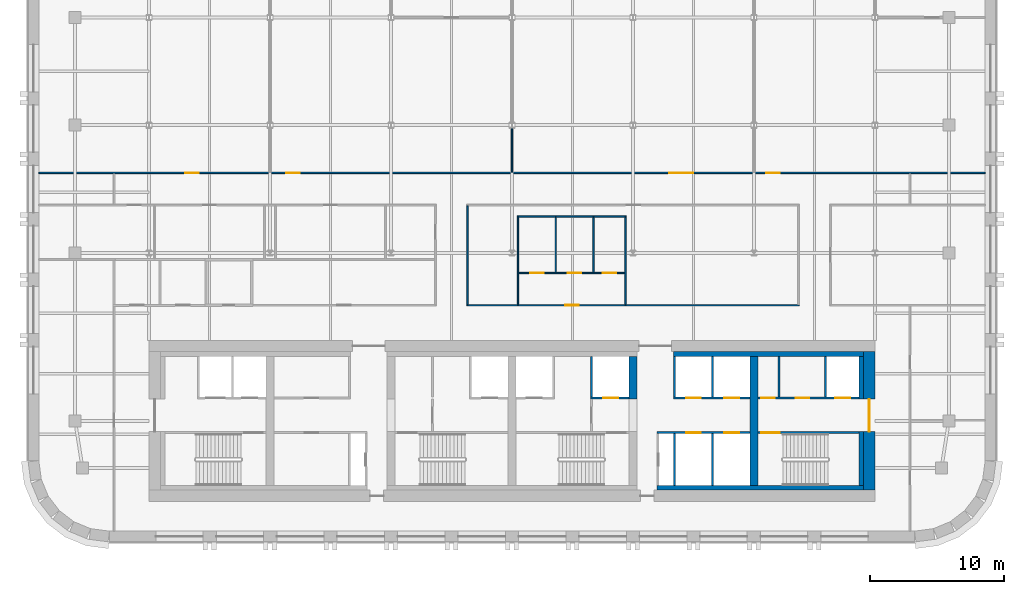
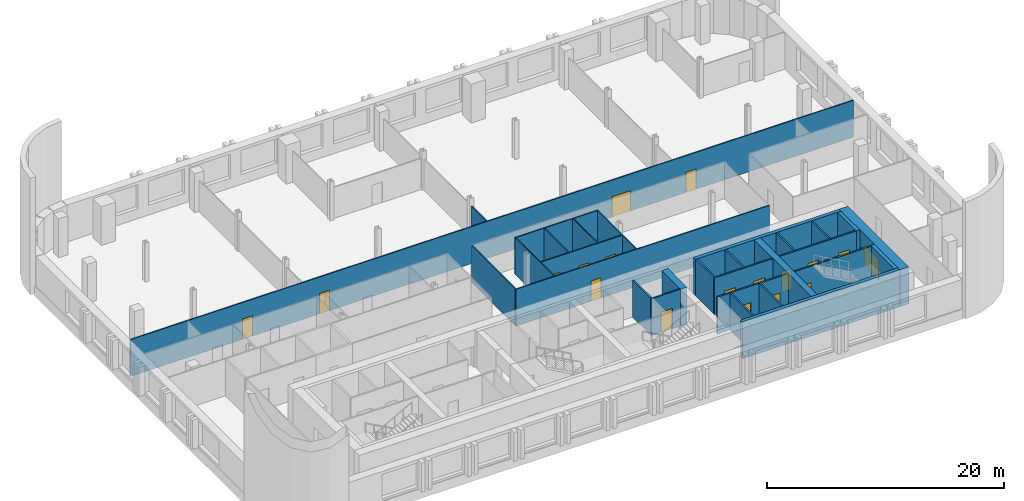
# One storey, part 5 of 9: 29 walls, 18 doors, 18 openings.
"""IFC4 building model written with IfcOpenShell, lengths in metres."""

from ifc_helpers import new_model, si_unit, direction, frame, frame_2d, origin, place, context, subcontext, project, spatial, rectangle, extrude, material, layer, layer_set, type_object, element, fill, save


model = new_model("IFC4")

# Units and contexts
model_context = context("Model", 3, precision=1e-05, world=origin(), true_north=direction((0.0, 1.0)))
body_context = subcontext(model_context, "Body", "Model", "MODEL_VIEW")
ifc_project = project(units=[si_unit("LENGTHUNIT", "METRE"), si_unit("AREAUNIT", "SQUARE_METRE"), si_unit("VOLUMEUNIT", "CUBIC_METRE"), si_unit("PLANEANGLEUNIT", "RADIAN"), si_unit("MASSUNIT", "GRAM", prefix="KILO")], contexts=[model_context])

# Site, building, storey
site_placement = place(None, origin())
site = spatial("IfcSite", under=ifc_project, at=site_placement, CompositionType="ELEMENT")
building_placement = place(site_placement, origin())
building = spatial("IfcBuilding", under=site, at=building_placement, Name="Zellij Exchange Tower", CompositionType="ELEMENT")
storey_placement = place(building_placement, frame((0.0, 0.0, 200.5)))
storey = spatial("IfcBuildingStorey", under=building, at=storey_placement, Name="L46", CompositionType="ELEMENT", Elevation=200.5)

# Walls
ifc_material_1 = material(Name="Concrete C60/75", Category="concrete")
ifc_layer_1 = layer(ifc_material_1, 0.60009765625)
ifc_layer_set_1 = layer_set([ifc_layer_1], Name="Concrete C60/75")
wall_type_1 = type_object("IfcWallType", Name="CORE-CW 600 C60/75", PredefinedType="SHEAR", material=ifc_layer_set_1)
wall_1_placement = place(storey_placement, frame((9.0, -6.375, 0.0), z_axis=(0.0, 0.0, 1.0), x_axis=(0.0, 1.0, 0.0)))
element("IfcWall", 1, at=wall_1_placement, inside=storey, type_object=wall_type_1, Name="Core cross wall pier x 9 b L46", PredefinedType="SHEAR", context=body_context, shape_type="SweptSolid", body=[
    extrude(rectangle(XDim=3.175048828125, YDim=0.60009765625, at=frame_2d((1.58740234375, 0.0))), origin(), (0.0, 0.0, 1.0), 3.800048828125),
])
wall_2_placement = place(storey_placement, frame((18.0, -12.800048828125, 0.0), z_axis=(0.0, 0.0, 1.0), x_axis=(0.0, 1.0, 0.0)))
element("IfcWall", 2, at=wall_2_placement, inside=storey, type_object=wall_type_1, Name="Core cross wall x 18 L46", PredefinedType="SHEAR", context=body_context, shape_type="SweptSolid", body=[
    extrude(rectangle(XDim=9.60009765625, YDim=0.60009765625, at=frame_2d((4.800048828125, 0.0))), origin(), (0.0, 0.0, 1.0), 3.800048828125),
])
ifc_material_2 = material(Name="Concrete C30/37", Category="concrete")
ifc_layer_2 = layer(ifc_material_2, 0.35009765625)
ifc_layer_set_2 = layer_set([ifc_layer_2], Name="Concrete C30/37")
wall_type_2 = type_object("IfcWallType", Name="CORE-LW 350 C30/37", PredefinedType="SHEAR", material=ifc_layer_set_2)
wall_3_placement = place(storey_placement, frame((12.0, -3.02490234375, 0.0), z_axis=(0.0, 0.0, 1.0), x_axis=(1.0, 0.0, 0.0)))
element("IfcWall", 3, at=wall_3_placement, inside=storey, type_object=wall_type_2, Name="Core wall lining front.2 L46", PredefinedType="SHEAR", context=body_context, shape_type="SweptSolid", body=[
    extrude(rectangle(XDim=14.14990234375, YDim=0.35009765625, at=frame_2d((7.074951171875, 0.0))), origin(), (0.0, 0.0, 1.0), 3.800048828125),
])
wall_4_placement = place(storey_placement, frame((10.800048828125, -12.97509765625, 0.0), z_axis=(0.0, 0.0, 1.0), x_axis=(1.0, 0.0, 0.0)))
element("IfcWall", 4, at=wall_4_placement, inside=storey, type_object=wall_type_2, Name="Core wall lining rear.2 L46", PredefinedType="SHEAR", context=body_context, shape_type="SweptSolid", body=[
    extrude(rectangle(XDim=15.349853515625, YDim=0.35009765625, at=frame_2d((7.6748046875, 0.0))), origin(), (0.0, 0.0, 1.0), 3.800048828125),
])
wall_5_placement = place(storey_placement, frame((25.97509765625, -12.800048828125, 0.0), z_axis=(0.0, 0.0, 1.0), x_axis=(0.0, 1.0, 0.0)))
element("IfcWall", 5, at=wall_5_placement, inside=storey, type_object=wall_type_2, Name="Core wall lining end e.0 L46", PredefinedType="SHEAR", context=body_context, shape_type="SweptSolid", body=[
    extrude(rectangle(XDim=4.0, YDim=0.35009765625, at=frame_2d((2.0, 0.0))), origin(), (0.0, 0.0, 1.0), 3.800048828125),
])
wall_6_placement = place(storey_placement, frame((25.97509765625, -6.375, 0.0), z_axis=(0.0, 0.0, 1.0), x_axis=(0.0, 1.0, 0.0)))
element("IfcWall", 6, at=wall_6_placement, inside=storey, type_object=wall_type_2, Name="Core wall lining end e.1 L46", PredefinedType="SHEAR", context=body_context, shape_type="SweptSolid", body=[
    extrude(rectangle(XDim=3.175048828125, YDim=0.35009765625, at=frame_2d((1.58740234375, 0.0))), origin(), (0.0, 0.0, 1.0), 3.800048828125),
])
ifc_material_3 = material(Name="Gypsum board partition")
ifc_layer_3 = layer(ifc_material_3, 0.14990234375)
ifc_layer_set_3 = layer_set([ifc_layer_3], Name="Gypsum board partition")
wall_type_3 = type_object("IfcWallType", Name="CORE-PW 150 Lift lobby wall", PredefinedType="PARTITIONING", material=ifc_layer_set_3)
wall_7_placement = place(storey_placement, frame((19.875, -6.22509765625, 0.0), z_axis=(0.0, 0.0, 1.0), x_axis=(0.0, 1.0, 0.0)))
element("IfcWall", 7, at=wall_7_placement, inside=storey, type_object=wall_type_3, Name="Lift lobby wall L46", PredefinedType="PARTITIONING", context=body_context, shape_type="SweptSolid", body=[
    extrude(rectangle(XDim=3.025146484375, YDim=0.14990234375, at=frame_2d((1.5126953125, 0.0))), origin(), (0.0, 0.0, 1.0), 3.800048828125),
])
ifc_material_4 = material(Name="Gypsum shaft wall system")
ifc_layer_4 = layer(ifc_material_4, 0.14990234375)
ifc_layer_set_4 = layer_set([ifc_layer_4], Name="Gypsum shaft wall system")
wall_type_4 = type_object("IfcWallType", Name="CORE-PW 150 Lift shaft wall", PredefinedType="PARTITIONING", material=ifc_layer_set_4)
for number, where, z_axis, x_axis, name in (
    (8, (5.925048828125, -6.22509765625, 0.0), (0.0, 0.0, 1.0), (0.0, 1.0, 0.0), "Lift shaft wall L46"),
    (9, (12.074951171875, -6.22509765625, 0.0), (0.0, 0.0, 1.0), (0.0, 1.0, 0.0), "Lift shaft wall L46"),
    (10, (14.925048828125, -6.22509765625, 0.0), (0.0, 0.0, 1.0), (0.0, 1.0, 0.0), "Lift shaft wall L46"),
    (11, (23.324951171875, -6.22509765625, 0.0), (0.0, 0.0, 1.0), (0.0, 1.0, 0.0), "Lift shaft wall L46"),
):
    element("IfcWall", number, at=place(storey_placement, frame(where, z_axis=z_axis, x_axis=x_axis)), inside=storey, type_object=wall_type_4, Name=name, PredefinedType="PARTITIONING", context=body_context, shape_type="SweptSolid", body=[
        extrude(rectangle(XDim=3.025146484375, YDim=0.14990234375, at=frame_2d((1.5126953125, 0.0))), origin(), (0.0, 0.0, 1.0), 3.800048828125),
    ])
for number, where, z_axis, x_axis, name in (
    (12, (12.074951171875, -12.800048828125, 0.0), (0.0, 0.0, 1.0), (0.0, 1.0, 0.0), "Lift shaft wall L46"),
    (13, (14.925048828125, -12.800048828125, 0.0), (0.0, 0.0, 1.0), (0.0, 1.0, 0.0), "Lift shaft wall L46"),
):
    element("IfcWall", number, at=place(storey_placement, frame(where, z_axis=z_axis, x_axis=x_axis)), inside=storey, type_object=wall_type_4, Name=name, PredefinedType="PARTITIONING", context=body_context, shape_type="SweptSolid", body=[
        extrude(rectangle(XDim=3.85009765625, YDim=0.14990234375, at=frame_2d((1.925048828125, 0.0))), origin(), (0.0, 0.0, 1.0), 3.800048828125),
    ])

# Wall, opening, door
wall_8_placement = place(storey_placement, frame((5.85009765625, -6.300048828125, 0.0), z_axis=(0.0, 0.0, 1.0), x_axis=(1.0, 0.0, 0.0)))
wall_8 = element("IfcWall", 14, at=wall_8_placement, inside=storey, type_object=wall_type_4, Name="Lift shaft wall L46", PredefinedType="PARTITIONING", context=body_context, shape_type="SweptSolid", body=[
    extrude(rectangle(XDim=2.849853515625, YDim=0.14990234375, at=frame_2d((1.4248046875, 0.0))), origin(), (0.0, 0.0, 1.0), 3.800048828125),
])
opening_1_placement = place(wall_8_placement, frame((0.949951171875, 0.0, 0.0)))
opening_1 = element("IfcOpeningElement", 15, at=opening_1_placement, cuts=wall_8, Name="Opening CA-24.15", PredefinedType="OPENING", context=body_context, shape_type="SweptSolid", body=[
    extrude(rectangle(XDim=1.10009765625, YDim=2.10009765625, at=frame_2d((0.550048828125, 1.050048828125))), frame((0.0, 0.0869140625, 0.0), z_axis=(0.0, -1.0, 0.0), x_axis=(1.0, 0.0, 0.0)), (0.0, 0.0, 1.0), 0.173828125),
])
ifc_material_5 = material(Name="Hollow metal fire door")
door_type_1 = type_object("IfcDoorType", Name="CORE-D LD Lift landing door 1100x2100 1.5 HR", OperationType="NOTDEFINED", PredefinedType="DOOR", material=ifc_material_5)
door_1_placement = place(opening_1_placement, origin())
door_1 = element("IfcDoor", 16, at=door_1_placement, inside=storey, type_object=door_type_1, Name="Lift landing door CA-24.15", OperationType="SLIDING_TO_LEFT", OverallHeight=2.10009765625, OverallWidth=1.10009765625, PredefinedType="DOOR", context=body_context, shape_type="SweptSolid", body=[
    extrude(rectangle(XDim=1.10009765625, YDim=2.10009765625, at=frame_2d((0.550048828125, 1.050048828125))), frame((0.0, 0.02490234375, 0.0), z_axis=(0.0, -1.0, 0.0), x_axis=(1.0, 0.0, 0.0)), (0.0, 0.0, 1.0), 0.050048828125),
])
fill(opening_1, door_1)

# Wall, openings, doors
wall_9_placement = place(storey_placement, frame((12.0, -6.300048828125, 0.0), z_axis=(0.0, 0.0, 1.0), x_axis=(1.0, 0.0, 0.0)))
wall_9 = element("IfcWall", 17, at=wall_9_placement, inside=storey, type_object=wall_type_4, Name="Lift shaft wall L46", PredefinedType="PARTITIONING", context=body_context, shape_type="SweptSolid", body=[
    extrude(rectangle(XDim=5.699951171875, YDim=0.14990234375, at=frame_2d((2.85009765625, 0.0))), origin(), (0.0, 0.0, 1.0), 3.800048828125),
])
opening_2_placement = place(wall_9_placement, frame((0.949951171875, 0.0, 0.0)))
opening_2 = element("IfcOpeningElement", 18, at=opening_2_placement, cuts=wall_9, Name="Opening CA-24.21", PredefinedType="OPENING", context=body_context, shape_type="SweptSolid", body=[
    extrude(rectangle(XDim=1.10009765625, YDim=2.10009765625, at=frame_2d((0.550048828125, 1.050048828125))), frame((0.0, 0.0869140625, 0.0), z_axis=(0.0, -1.0, 0.0), x_axis=(1.0, 0.0, 0.0)), (0.0, 0.0, 1.0), 0.173828125),
])
opening_3_placement = place(wall_9_placement, frame((3.800048828125, 0.0, 0.0)))
opening_3 = element("IfcOpeningElement", 19, at=opening_3_placement, cuts=wall_9, Name="Opening CA-24.23", PredefinedType="OPENING", context=body_context, shape_type="SweptSolid", body=[
    extrude(rectangle(XDim=1.10009765625, YDim=2.10009765625, at=frame_2d((0.550048828125, 1.050048828125))), frame((0.0, 0.0869140625, 0.0), z_axis=(0.0, -1.0, 0.0), x_axis=(1.0, 0.0, 0.0)), (0.0, 0.0, 1.0), 0.173828125),
])
door_2_placement = place(opening_2_placement, origin())
door_2 = element("IfcDoor", 20, at=door_2_placement, inside=storey, type_object=door_type_1, Name="Lift landing door CA-24.21", OperationType="SLIDING_TO_LEFT", OverallHeight=2.10009765625, OverallWidth=1.10009765625, PredefinedType="DOOR", context=body_context, shape_type="SweptSolid", body=[
    extrude(rectangle(XDim=1.10009765625, YDim=2.10009765625, at=frame_2d((0.550048828125, 1.050048828125))), frame((0.0, 0.02490234375, 0.0), z_axis=(0.0, -1.0, 0.0), x_axis=(1.0, 0.0, 0.0)), (0.0, 0.0, 1.0), 0.050048828125),
])
fill(opening_2, door_2)
door_3_placement = place(opening_3_placement, origin())
door_3 = element("IfcDoor", 21, at=door_3_placement, inside=storey, type_object=door_type_1, Name="Lift landing door CA-24.23", OperationType="SLIDING_TO_LEFT", OverallHeight=2.10009765625, OverallWidth=1.10009765625, PredefinedType="DOOR", context=body_context, shape_type="SweptSolid", body=[
    extrude(rectangle(XDim=1.10009765625, YDim=2.10009765625, at=frame_2d((0.550048828125, 1.050048828125))), frame((0.0, 0.02490234375, 0.0), z_axis=(0.0, -1.0, 0.0), x_axis=(1.0, 0.0, 0.0)), (0.0, 0.0, 1.0), 0.050048828125),
])
fill(opening_3, door_3)

wall_10_placement = place(storey_placement, frame((18.300048828125, -6.300048828125, 0.0), z_axis=(0.0, 0.0, 1.0), x_axis=(1.0, 0.0, 0.0)))
wall_10 = element("IfcWall", 22, at=wall_10_placement, inside=storey, type_object=wall_type_4, Name="Lift shaft wall L46", PredefinedType="PARTITIONING", context=body_context, shape_type="SweptSolid", body=[
    extrude(rectangle(XDim=7.5, YDim=0.14990234375, at=frame_2d((3.75, 0.0))), origin(), (0.0, 0.0, 1.0), 3.800048828125),
])
opening_4_placement = place(wall_10_placement, frame((0.25, 0.0, 0.0)))
opening_4 = element("IfcOpeningElement", 23, at=opening_4_placement, cuts=wall_10, Name="Opening CA-24.24", PredefinedType="OPENING", context=body_context, shape_type="SweptSolid", body=[
    extrude(rectangle(XDim=1.0, YDim=2.10009765625, at=frame_2d((0.5, 1.050048828125))), frame((0.0, 0.0869140625, 0.0), z_axis=(0.0, -1.0, 0.0), x_axis=(1.0, 0.0, 0.0)), (0.0, 0.0, 1.0), 0.173828125),
])
opening_5_placement = place(wall_10_placement, frame((2.800048828125, 0.0, 0.0)))
opening_5 = element("IfcOpeningElement", 24, at=opening_5_placement, cuts=wall_10, Name="Opening CA-24.26", PredefinedType="OPENING", context=body_context, shape_type="SweptSolid", body=[
    extrude(rectangle(XDim=1.0, YDim=2.10009765625, at=frame_2d((0.5, 1.050048828125))), frame((0.0, 0.0869140625, 0.0), z_axis=(0.0, -1.0, 0.0), x_axis=(1.0, 0.0, 0.0)), (0.0, 0.0, 1.0), 0.173828125),
])
opening_6_placement = place(wall_10_placement, frame((5.75, 0.0, 0.0)))
opening_6 = element("IfcOpeningElement", 25, at=opening_6_placement, cuts=wall_10, Name="Opening CA-24.27", PredefinedType="OPENING", context=body_context, shape_type="SweptSolid", body=[
    extrude(rectangle(XDim=1.10009765625, YDim=2.10009765625, at=frame_2d((0.550048828125, 1.050048828125))), frame((0.0, 0.0869140625, 0.0), z_axis=(0.0, -1.0, 0.0), x_axis=(1.0, 0.0, 0.0)), (0.0, 0.0, 1.0), 0.173828125),
])
door_type_2 = type_object("IfcDoorType", Name="CORE-D CD Core room door 1000x2100 1 HR", OperationType="NOTDEFINED", PredefinedType="DOOR", material=ifc_material_5)
door_4_placement = place(opening_4_placement, origin())
door_4 = element("IfcDoor", 26, at=door_4_placement, inside=storey, type_object=door_type_2, Name="Core room door CA-24.24", OperationType="SINGLE_SWING_LEFT", OverallHeight=2.10009765625, OverallWidth=1.0, PredefinedType="DOOR", context=body_context, shape_type="SweptSolid", body=[
    extrude(rectangle(XDim=1.0, YDim=2.10009765625, at=frame_2d((0.5, 1.050048828125))), frame((0.0, 0.02490234375, 0.0), z_axis=(0.0, -1.0, 0.0), x_axis=(1.0, 0.0, 0.0)), (0.0, 0.0, 1.0), 0.050048828125),
])
fill(opening_4, door_4)
door_5_placement = place(opening_5_placement, origin())
door_5 = element("IfcDoor", 27, at=door_5_placement, inside=storey, type_object=door_type_2, Name="Core room door CA-24.26", OperationType="SINGLE_SWING_LEFT", OverallHeight=2.10009765625, OverallWidth=1.0, PredefinedType="DOOR", context=body_context, shape_type="SweptSolid", body=[
    extrude(rectangle(XDim=1.0, YDim=2.10009765625, at=frame_2d((0.5, 1.050048828125))), frame((0.0, 0.02490234375, 0.0), z_axis=(0.0, -1.0, 0.0), x_axis=(1.0, 0.0, 0.0)), (0.0, 0.0, 1.0), 0.050048828125),
])
fill(opening_5, door_5)
door_6_placement = place(opening_6_placement, origin())
door_6 = element("IfcDoor", 28, at=door_6_placement, inside=storey, type_object=door_type_1, Name="Lift landing door CA-24.27", OperationType="SLIDING_TO_LEFT", OverallHeight=2.10009765625, OverallWidth=1.10009765625, PredefinedType="DOOR", context=body_context, shape_type="SweptSolid", body=[
    extrude(rectangle(XDim=1.10009765625, YDim=2.10009765625, at=frame_2d((0.550048828125, 1.050048828125))), frame((0.0, 0.02490234375, 0.0), z_axis=(0.0, -1.0, 0.0), x_axis=(1.0, 0.0, 0.0)), (0.0, 0.0, 1.0), 0.050048828125),
])
fill(opening_6, door_6)

wall_11_placement = place(storey_placement, frame((10.800048828125, -8.875, 0.0), z_axis=(0.0, 0.0, 1.0), x_axis=(1.0, 0.0, 0.0)))
wall_11 = element("IfcWall", 29, at=wall_11_placement, inside=storey, type_object=wall_type_4, Name="Lift shaft wall L46", PredefinedType="PARTITIONING", context=body_context, shape_type="SweptSolid", body=[
    extrude(rectangle(XDim=6.89990234375, YDim=0.14990234375, at=frame_2d((3.449951171875, 0.0))), origin(), (0.0, 0.0, 1.0), 3.800048828125),
])
opening_7_placement = place(wall_11_placement, frame((2.14990234375, 0.0, 0.0)))
opening_7 = element("IfcOpeningElement", 30, at=opening_7_placement, cuts=wall_11, Name="Opening CA-24.20", PredefinedType="OPENING", context=body_context, shape_type="SweptSolid", body=[
    extrude(rectangle(XDim=1.10009765625, YDim=2.10009765625, at=frame_2d((0.550048828125, 1.050048828125))), frame((0.0, 0.0869140625, 0.0), z_axis=(0.0, -1.0, 0.0), x_axis=(1.0, 0.0, 0.0)), (0.0, 0.0, 1.0), 0.173828125),
])
opening_8_placement = place(wall_11_placement, frame((5.0, 0.0, 0.0)))
opening_8 = element("IfcOpeningElement", 31, at=opening_8_placement, cuts=wall_11, Name="Opening CA-24.22", PredefinedType="OPENING", context=body_context, shape_type="SweptSolid", body=[
    extrude(rectangle(XDim=1.10009765625, YDim=2.10009765625, at=frame_2d((0.550048828125, 1.050048828125))), frame((0.0, 0.0869140625, 0.0), z_axis=(0.0, -1.0, 0.0), x_axis=(1.0, 0.0, 0.0)), (0.0, 0.0, 1.0), 0.173828125),
])
door_7_placement = place(opening_7_placement, origin())
door_7 = element("IfcDoor", 32, at=door_7_placement, inside=storey, type_object=door_type_1, Name="Lift landing door CA-24.20", OperationType="SLIDING_TO_RIGHT", OverallHeight=2.10009765625, OverallWidth=1.10009765625, PredefinedType="DOOR", context=body_context, shape_type="SweptSolid", body=[
    extrude(rectangle(XDim=1.10009765625, YDim=2.10009765625, at=frame_2d((0.550048828125, 1.050048828125))), frame((0.0, 0.02490234375, 0.0), z_axis=(0.0, -1.0, 0.0), x_axis=(1.0, 0.0, 0.0)), (0.0, 0.0, 1.0), 0.050048828125),
])
fill(opening_7, door_7)
door_8_placement = place(opening_8_placement, origin())
door_8 = element("IfcDoor", 33, at=door_8_placement, inside=storey, type_object=door_type_1, Name="Lift landing door CA-24.22", OperationType="SLIDING_TO_RIGHT", OverallHeight=2.10009765625, OverallWidth=1.10009765625, PredefinedType="DOOR", context=body_context, shape_type="SweptSolid", body=[
    extrude(rectangle(XDim=1.10009765625, YDim=2.10009765625, at=frame_2d((0.550048828125, 1.050048828125))), frame((0.0, 0.02490234375, 0.0), z_axis=(0.0, -1.0, 0.0), x_axis=(1.0, 0.0, 0.0)), (0.0, 0.0, 1.0), 0.050048828125),
])
fill(opening_8, door_8)

# Wall, opening, door
ifc_layer_5 = layer(ifc_material_1, 0.85009765625)
ifc_layer_set_5 = layer_set([ifc_layer_5], Name="Concrete C60/75")
wall_type_5 = type_object("IfcWallType", Name="CORE-SW 850 C60/75", PredefinedType="SHEAR", material=ifc_layer_set_5)
wall_12_placement = place(storey_placement, frame((26.574951171875, -13.14990234375, 0.0), z_axis=(0.0, 0.0, 1.0), x_axis=(0.0, 1.0, 0.0)))
wall_12 = element("IfcWall", 34, at=wall_12_placement, inside=storey, type_object=wall_type_5, Name="Core shear wall end e L46", PredefinedType="SHEAR", context=body_context, shape_type="SweptSolid", body=[
    extrude(rectangle(XDim=10.2998046875, YDim=0.85009765625, at=frame_2d((5.14990234375, 0.0))), origin(), (0.0, 0.0, 1.0), 3.800048828125),
])
opening_9_placement = place(wall_12_placement, frame((4.362060546875, 0.0, 0.0)))
opening_9 = element("IfcOpeningElement", 35, at=opening_9_placement, cuts=wall_12, Name="Opening CA-24.28", PredefinedType="OPENING", context=body_context, shape_type="SweptSolid", body=[
    extrude(rectangle(XDim=2.39990234375, YDim=2.10009765625, at=frame_2d((1.199951171875, 1.050048828125))), frame((0.0, 0.43701171875, 0.0), z_axis=(0.0, -1.0, 0.0), x_axis=(1.0, 0.0, 0.0)), (0.0, 0.0, 1.0), 0.8740234375),
])
door_type_3 = type_object("IfcDoorType", Name="CORE-D CE Core entrance door 2400x2100 20 MIN", OperationType="NOTDEFINED", PredefinedType="DOOR", material=ifc_material_5)
door_9_placement = place(opening_9_placement, origin())
door_9 = element("IfcDoor", 36, at=door_9_placement, inside=storey, type_object=door_type_3, Name="Core entrance door CA-24.28", OperationType="DOUBLE_DOOR_SINGLE_SWING", OverallHeight=2.10009765625, OverallWidth=2.39990234375, PredefinedType="DOOR", context=body_context, shape_type="SweptSolid", body=[
    extrude(rectangle(XDim=2.39990234375, YDim=2.10009765625, at=frame_2d((1.199951171875, 1.050048828125))), frame((0.0, 0.02490234375, 0.0), z_axis=(0.0, -1.0, 0.0), x_axis=(1.0, 0.0, 0.0)), (0.0, 0.0, 1.0), 0.050048828125),
])
fill(opening_9, door_9)

ifc_layer_6 = layer(ifc_material_1, 0.14990234375)
ifc_layer_set_6 = layer_set([ifc_layer_6], Name="Concrete C60/75")
wall_type_6 = type_object("IfcWallType", Name="CORE-SWS 150 C60/75", PredefinedType="SHEAR", material=ifc_layer_set_6)
wall_13_placement = place(storey_placement, frame((18.300048828125, -8.875, 0.0), z_axis=(0.0, 0.0, 1.0), x_axis=(1.0, 0.0, 0.0)))
wall_13 = element("IfcWall", 37, at=wall_13_placement, inside=storey, type_object=wall_type_6, Name="Stair enclosure wall L46", PredefinedType="SHEAR", context=body_context, shape_type="SweptSolid", body=[
    extrude(rectangle(XDim=7.5, YDim=0.14990234375, at=frame_2d((3.75, 0.0))), origin(), (0.0, 0.0, 1.0), 3.800048828125),
])
opening_10_placement = place(wall_13_placement, frame((0.22509765625, 0.0, 0.0)))
opening_10 = element("IfcOpeningElement", 38, at=opening_10_placement, cuts=wall_13, Name="Opening CA-24.25", PredefinedType="OPENING", context=body_context, shape_type="SweptSolid", body=[
    extrude(rectangle(XDim=1.39990234375, YDim=2.10009765625, at=frame_2d((0.699951171875, 1.050048828125))), frame((0.0, 0.0869140625, 0.0), z_axis=(0.0, -1.0, 0.0), x_axis=(1.0, 0.0, 0.0)), (0.0, 0.0, 1.0), 0.173828125),
])
door_type_4 = type_object("IfcDoorType", Name="CORE-D SD Stair door 1400x2100 1.5 HR", OperationType="NOTDEFINED", PredefinedType="DOOR", material=ifc_material_5)
door_10_placement = place(opening_10_placement, origin())
door_10 = element("IfcDoor", 39, at=door_10_placement, inside=storey, type_object=door_type_4, Name="Stair door CA-24.25", OperationType="DOUBLE_DOOR_SINGLE_SWING", OverallHeight=2.10009765625, OverallWidth=1.39990234375, PredefinedType="DOOR", context=body_context, shape_type="SweptSolid", body=[
    extrude(rectangle(XDim=1.39990234375, YDim=2.10009765625, at=frame_2d((0.699951171875, 1.050048828125))), frame((0.0, 0.02490234375, 0.0), z_axis=(0.0, -1.0, 0.0), x_axis=(1.0, 0.0, 0.0)), (0.0, 0.0, 1.0), 0.050048828125),
])
fill(opening_10, door_10)

ifc_material_6 = material(Name="Gypsum board partition on steel studs", Category="steel")
ifc_layer_7 = layer(ifc_material_6, 0.10009765625)
ifc_layer_set_7 = layer_set([ifc_layer_7], Name="Gypsum board partition on steel studs")
wall_type_7 = type_object("IfcWallType", Name="FIT-PARTITION-100", PredefinedType="PARTITIONING", material=ifc_layer_set_7)
wall_14_placement = place(storey_placement, frame((-3.35009765625, 0.60009765625, 0.0), z_axis=(0.0, 0.0, 1.0), x_axis=(1.0, 0.0, 0.0)))
wall_14 = element("IfcWall", 40, at=wall_14_placement, inside=storey, type_object=wall_type_7, Name="FIT-PARTITION-100 013", PredefinedType="PARTITIONING", context=body_context, shape_type="SweptSolid", body=[
    extrude(rectangle(XDim=24.7001953125, YDim=0.10009765625, at=frame_2d((12.35009765625, 0.0))), origin(), (0.0, 0.0, 1.0), 3.800048828125),
])
opening_11_placement = place(wall_14_placement, frame((7.300048828125, 0.0, 0.0)))
opening_11 = element("IfcOpeningElement", 41, at=opening_11_placement, cuts=wall_14, Name="Opening O3D.08", PredefinedType="OPENING", context=body_context, shape_type="SweptSolid", body=[
    extrude(rectangle(XDim=1.0, YDim=2.10009765625, at=frame_2d((0.5, 1.050048828125))), frame((0.0, 0.06201171875, 0.0), z_axis=(0.0, -1.0, 0.0), x_axis=(1.0, 0.0, 0.0)), (0.0, 0.0, 1.0), 0.1240234375),
])
ifc_material_7 = material(Name="Timber door set", Category="wood")
door_type_5 = type_object("IfcDoorType", Name="FIT-D2-WIDE-1000X2100", OperationType="SINGLE_SWING_LEFT", PredefinedType="DOOR", material=ifc_material_7)
door_11_placement = place(opening_11_placement, origin())
door_11 = element("IfcDoor", 42, at=door_11_placement, inside=storey, type_object=door_type_5, Name="Door O3D.08", OperationType="SINGLE_SWING_LEFT", OverallHeight=2.10009765625, OverallWidth=1.0, PredefinedType="DOOR", context=body_context, shape_type="SweptSolid", body=[
    extrude(rectangle(XDim=1.0, YDim=2.10009765625, at=frame_2d((0.5, 1.050048828125))), frame((0.0, 0.02490234375, 0.0), z_axis=(0.0, -1.0, 0.0), x_axis=(1.0, 0.0, 0.0)), (0.0, 0.0, 1.0), 0.050048828125),
])
fill(opening_11, door_11)

# Walls
wall_15_placement = place(storey_placement, frame((-3.300048828125, 0.64990234375, 0.0), z_axis=(0.0, 0.0, 1.0), x_axis=(0.0, 1.0, 0.0)))
element("IfcWall", 43, at=wall_15_placement, inside=storey, type_object=wall_type_7, Name="FIT-PARTITION-100 014", PredefinedType="PARTITIONING", context=body_context, shape_type="SweptSolid", body=[
    extrude(rectangle(XDim=7.35009765625, YDim=0.10009765625, at=frame_2d((3.675048828125, 0.0))), origin(), (0.0, 0.0, 1.0), 3.800048828125),
])
for number, where, z_axis, x_axis, name in (
    (44, (0.449951171875, 0.64990234375, 0.0), (0.0, 0.0, 1.0), (0.0, 1.0, 0.0), "FIT-PARTITION-100 015"),
    (45, (8.449951171875, 0.64990234375, 0.0), (0.0, 0.0, 1.0), (0.0, 1.0, 0.0), "FIT-PARTITION-100 016"),
):
    element("IfcWall", number, at=place(storey_placement, frame(where, z_axis=z_axis, x_axis=x_axis)), inside=storey, type_object=wall_type_7, Name=name, PredefinedType="PARTITIONING", context=body_context, shape_type="SweptSolid", body=[
        extrude(rectangle(XDim=6.5, YDim=0.10009765625, at=frame_2d((3.25, 0.0))), origin(), (0.0, 0.0, 1.0), 3.800048828125),
    ])

# Wall, openings, doors
wall_16_placement = place(storey_placement, frame((0.5, 3.0, 0.0), z_axis=(0.0, 0.0, 1.0), x_axis=(1.0, 0.0, 0.0)))
wall_16 = element("IfcWall", 46, at=wall_16_placement, inside=storey, type_object=wall_type_7, Name="FIT-PARTITION-100 020", PredefinedType="PARTITIONING", context=body_context, shape_type="SweptSolid", body=[
    extrude(rectangle(XDim=7.89990234375, YDim=0.10009765625, at=frame_2d((3.949951171875, 0.0))), origin(), (0.0, 0.0, 1.0), 3.800048828125),
])
opening_12_placement = place(wall_16_placement, frame((0.85009765625, 0.0, 0.0)))
opening_12 = element("IfcOpeningElement", 47, at=opening_12_placement, cuts=wall_16, Name="Opening O3D.09", PredefinedType="OPENING", context=body_context, shape_type="SweptSolid", body=[
    extrude(rectangle(XDim=1.0, YDim=2.10009765625, at=frame_2d((0.5, 1.050048828125))), frame((0.0, 0.06201171875, 0.0), z_axis=(0.0, -1.0, 0.0), x_axis=(1.0, 0.0, 0.0)), (0.0, 0.0, 1.0), 0.1240234375),
])
opening_13_placement = place(wall_16_placement, frame((3.64990234375, 0.0, 0.0)))
opening_13 = element("IfcOpeningElement", 48, at=opening_13_placement, cuts=wall_16, Name="Opening O3D.10", PredefinedType="OPENING", context=body_context, shape_type="SweptSolid", body=[
    extrude(rectangle(XDim=1.0, YDim=2.10009765625, at=frame_2d((0.5, 1.050048828125))), frame((0.0, 0.06201171875, 0.0), z_axis=(0.0, -1.0, 0.0), x_axis=(1.0, 0.0, 0.0)), (0.0, 0.0, 1.0), 0.1240234375),
])
opening_14_placement = place(wall_16_placement, frame((6.25, 0.0, 0.0)))
opening_14 = element("IfcOpeningElement", 49, at=opening_14_placement, cuts=wall_16, Name="Opening O3D.11", PredefinedType="OPENING", context=body_context, shape_type="SweptSolid", body=[
    extrude(rectangle(XDim=1.0, YDim=2.10009765625, at=frame_2d((0.5, 1.050048828125))), frame((0.0, 0.06201171875, 0.0), z_axis=(0.0, -1.0, 0.0), x_axis=(1.0, 0.0, 0.0)), (0.0, 0.0, 1.0), 0.1240234375),
])
door_12_placement = place(opening_12_placement, origin())
door_12 = element("IfcDoor", 50, at=door_12_placement, inside=storey, type_object=door_type_5, Name="Door O3D.09", OperationType="SINGLE_SWING_LEFT", OverallHeight=2.10009765625, OverallWidth=1.0, PredefinedType="DOOR", context=body_context, shape_type="SweptSolid", body=[
    extrude(rectangle(XDim=1.0, YDim=2.10009765625, at=frame_2d((0.5, 1.050048828125))), frame((0.0, 0.02490234375, 0.0), z_axis=(0.0, -1.0, 0.0), x_axis=(1.0, 0.0, 0.0)), (0.0, 0.0, 1.0), 0.050048828125),
])
fill(opening_12, door_12)
door_13_placement = place(opening_13_placement, origin())
door_13 = element("IfcDoor", 51, at=door_13_placement, inside=storey, type_object=door_type_5, Name="Door O3D.10", OperationType="SINGLE_SWING_LEFT", OverallHeight=2.10009765625, OverallWidth=1.0, PredefinedType="DOOR", context=body_context, shape_type="SweptSolid", body=[
    extrude(rectangle(XDim=1.0, YDim=2.10009765625, at=frame_2d((0.5, 1.050048828125))), frame((0.0, 0.02490234375, 0.0), z_axis=(0.0, -1.0, 0.0), x_axis=(1.0, 0.0, 0.0)), (0.0, 0.0, 1.0), 0.050048828125),
])
fill(opening_13, door_13)
door_14_placement = place(opening_14_placement, origin())
door_14 = element("IfcDoor", 52, at=door_14_placement, inside=storey, type_object=door_type_5, Name="Door O3D.11", OperationType="SINGLE_SWING_LEFT", OverallHeight=2.10009765625, OverallWidth=1.0, PredefinedType="DOOR", context=body_context, shape_type="SweptSolid", body=[
    extrude(rectangle(XDim=1.0, YDim=2.10009765625, at=frame_2d((0.5, 1.050048828125))), frame((0.0, 0.02490234375, 0.0), z_axis=(0.0, -1.0, 0.0), x_axis=(1.0, 0.0, 0.0)), (0.0, 0.0, 1.0), 0.050048828125),
])
fill(opening_14, door_14)

# Walls
for number, where, z_axis, x_axis, name in (
    (53, (3.25, 3.050048828125, 0.0), (0.0, 0.0, 1.0), (0.0, 1.0, 0.0), "FIT-PARTITION-100 021"),
    (54, (6.050048828125, 3.050048828125, 0.0), (0.0, 0.0, 1.0), (0.0, 1.0, 0.0), "FIT-PARTITION-100 022"),
):
    element("IfcWall", number, at=place(storey_placement, frame(where, z_axis=z_axis, x_axis=x_axis)), inside=storey, type_object=wall_type_7, Name=name, PredefinedType="PARTITIONING", context=body_context, shape_type="SweptSolid", body=[
        extrude(rectangle(XDim=4.099853515625, YDim=0.10009765625, at=frame_2d((2.0498046875, 0.0))), origin(), (0.0, 0.0, 1.0), 3.800048828125),
    ])
wall_17_placement = place(storey_placement, frame((0.39990234375, 7.199951171875, 0.0), z_axis=(0.0, 0.0, 1.0), x_axis=(1.0, 0.0, 0.0)))
element("IfcWall", 55, at=wall_17_placement, inside=storey, type_object=wall_type_7, Name="FIT-PARTITION-100 031", PredefinedType="PARTITIONING", context=body_context, shape_type="SweptSolid", body=[
    extrude(rectangle(XDim=8.10009765625, YDim=0.10009765625, at=frame_2d((4.050048828125, 0.0))), origin(), (0.0, 0.0, 1.0), 3.800048828125),
])

# Wall, openings, doors
wall_18_placement = place(storey_placement, frame((-35.199951171875, 10.449951171875, 0.0), z_axis=(0.0, 0.0, 1.0), x_axis=(1.0, 0.0, 0.0)))
wall_18 = element("IfcWall", 56, at=wall_18_placement, inside=storey, type_object=wall_type_7, Name="FIT-PARTITION-100 037", PredefinedType="PARTITIONING", context=body_context, shape_type="SweptSolid", body=[
    extrude(rectangle(XDim=70.39990234375, YDim=0.10009765625, at=frame_2d((35.199951171875, 0.0))), origin(), (0.0, 0.0, 1.0), 3.800048828125),
])
opening_15_placement = place(wall_18_placement, frame((10.89990234375, 0.0, 0.0)))
opening_15 = element("IfcOpeningElement", 57, at=opening_15_placement, cuts=wall_18, Name="Opening O3D.18", PredefinedType="OPENING", context=body_context, shape_type="SweptSolid", body=[
    extrude(rectangle(XDim=1.0, YDim=2.10009765625, at=frame_2d((0.5, 1.050048828125))), frame((0.0, 0.06201171875, 0.0), z_axis=(0.0, -1.0, 0.0), x_axis=(1.0, 0.0, 0.0)), (0.0, 0.0, 1.0), 0.1240234375),
])
opening_16_placement = place(wall_18_placement, frame((18.39990234375, 0.0, 0.0)))
opening_16 = element("IfcOpeningElement", 58, at=opening_16_placement, cuts=wall_18, Name="Opening O3D.19", PredefinedType="OPENING", context=body_context, shape_type="SweptSolid", body=[
    extrude(rectangle(XDim=1.0, YDim=2.10009765625, at=frame_2d((0.5, 1.050048828125))), frame((0.0, 0.06201171875, 0.0), z_axis=(0.0, -1.0, 0.0), x_axis=(1.0, 0.0, 0.0)), (0.0, 0.0, 1.0), 0.1240234375),
])
opening_17_placement = place(wall_18_placement, frame((46.89990234375, 0.0, 0.0)))
opening_17 = element("IfcOpeningElement", 59, at=opening_17_placement, cuts=wall_18, Name="Opening O3D.20", PredefinedType="OPENING", context=body_context, shape_type="SweptSolid", body=[
    extrude(rectangle(XDim=1.800048828125, YDim=2.10009765625, at=frame_2d((0.89990234375, 1.050048828125))), frame((0.0, 0.06201171875, 0.0), z_axis=(0.0, -1.0, 0.0), x_axis=(1.0, 0.0, 0.0)), (0.0, 0.0, 1.0), 0.1240234375),
])
opening_18_placement = place(wall_18_placement, frame((54.10009765625, 0.0, 0.0)))
opening_18 = element("IfcOpeningElement", 60, at=opening_18_placement, cuts=wall_18, Name="Opening O3D.21", PredefinedType="OPENING", context=body_context, shape_type="SweptSolid", body=[
    extrude(rectangle(XDim=1.0, YDim=2.10009765625, at=frame_2d((0.5, 1.050048828125))), frame((0.0, 0.06201171875, 0.0), z_axis=(0.0, -1.0, 0.0), x_axis=(1.0, 0.0, 0.0)), (0.0, 0.0, 1.0), 0.1240234375),
])
door_15_placement = place(opening_15_placement, origin())
door_15 = element("IfcDoor", 61, at=door_15_placement, inside=storey, type_object=door_type_5, Name="Door O3D.18", OperationType="SINGLE_SWING_RIGHT", OverallHeight=2.10009765625, OverallWidth=1.0, PredefinedType="DOOR", context=body_context, shape_type="SweptSolid", body=[
    extrude(rectangle(XDim=1.0, YDim=2.10009765625, at=frame_2d((0.5, 1.050048828125))), frame((0.0, 0.02490234375, 0.0), z_axis=(0.0, -1.0, 0.0), x_axis=(1.0, 0.0, 0.0)), (0.0, 0.0, 1.0), 0.050048828125),
])
fill(opening_15, door_15)
door_16_placement = place(opening_16_placement, origin())
door_16 = element("IfcDoor", 62, at=door_16_placement, inside=storey, type_object=door_type_5, Name="Door O3D.19", OperationType="SINGLE_SWING_RIGHT", OverallHeight=2.10009765625, OverallWidth=1.0, PredefinedType="DOOR", context=body_context, shape_type="SweptSolid", body=[
    extrude(rectangle(XDim=1.0, YDim=2.10009765625, at=frame_2d((0.5, 1.050048828125))), frame((0.0, 0.02490234375, 0.0), z_axis=(0.0, -1.0, 0.0), x_axis=(1.0, 0.0, 0.0)), (0.0, 0.0, 1.0), 0.050048828125),
])
fill(opening_16, door_16)
door_17_placement = place(opening_18_placement, origin())
door_17 = element("IfcDoor", 63, at=door_17_placement, inside=storey, type_object=door_type_5, Name="Door O3D.21", OperationType="SINGLE_SWING_RIGHT", OverallHeight=2.10009765625, OverallWidth=1.0, PredefinedType="DOOR", context=body_context, shape_type="SweptSolid", body=[
    extrude(rectangle(XDim=1.0, YDim=2.10009765625, at=frame_2d((0.5, 1.050048828125))), frame((0.0, 0.02490234375, 0.0), z_axis=(0.0, -1.0, 0.0), x_axis=(1.0, 0.0, 0.0)), (0.0, 0.0, 1.0), 0.050048828125),
])
fill(opening_18, door_17)
door_type_6 = type_object("IfcDoorType", Name="FIT-D3-DOUBLE-1800X2100", OperationType="DOUBLE_DOOR_SINGLE_SWING", PredefinedType="DOOR", material=ifc_material_7)
door_18_placement = place(opening_17_placement, origin())
door_18 = element("IfcDoor", 64, at=door_18_placement, inside=storey, type_object=door_type_6, Name="Door O3D.20", OperationType="DOUBLE_DOOR_SINGLE_SWING", OverallHeight=2.10009765625, OverallWidth=1.800048828125, PredefinedType="DOOR", context=body_context, shape_type="SweptSolid", body=[
    extrude(rectangle(XDim=1.800048828125, YDim=2.10009765625, at=frame_2d((0.89990234375, 1.050048828125))), frame((0.0, 0.02490234375, 0.0), z_axis=(0.0, -1.0, 0.0), x_axis=(1.0, 0.0, 0.0)), (0.0, 0.0, 1.0), 0.050048828125),
])
fill(opening_17, door_18)

# Wall
wall_19_placement = place(storey_placement, frame((0.0, 10.5, 0.0), z_axis=(0.0, 0.0, 1.0), x_axis=(0.0, 1.0, 0.0)))
element("IfcWall", 65, at=wall_19_placement, inside=storey, type_object=wall_type_7, Name="FIT-PARTITION-100 042", PredefinedType="PARTITIONING", context=body_context, shape_type="SweptSolid", body=[
    extrude(rectangle(XDim=3.287841796875, YDim=0.10009765625, at=frame_2d((1.64404296875, 0.0))), origin(), (0.0, 0.0, 1.0), 3.19287109375),
])

save(model, "model.ifc")
